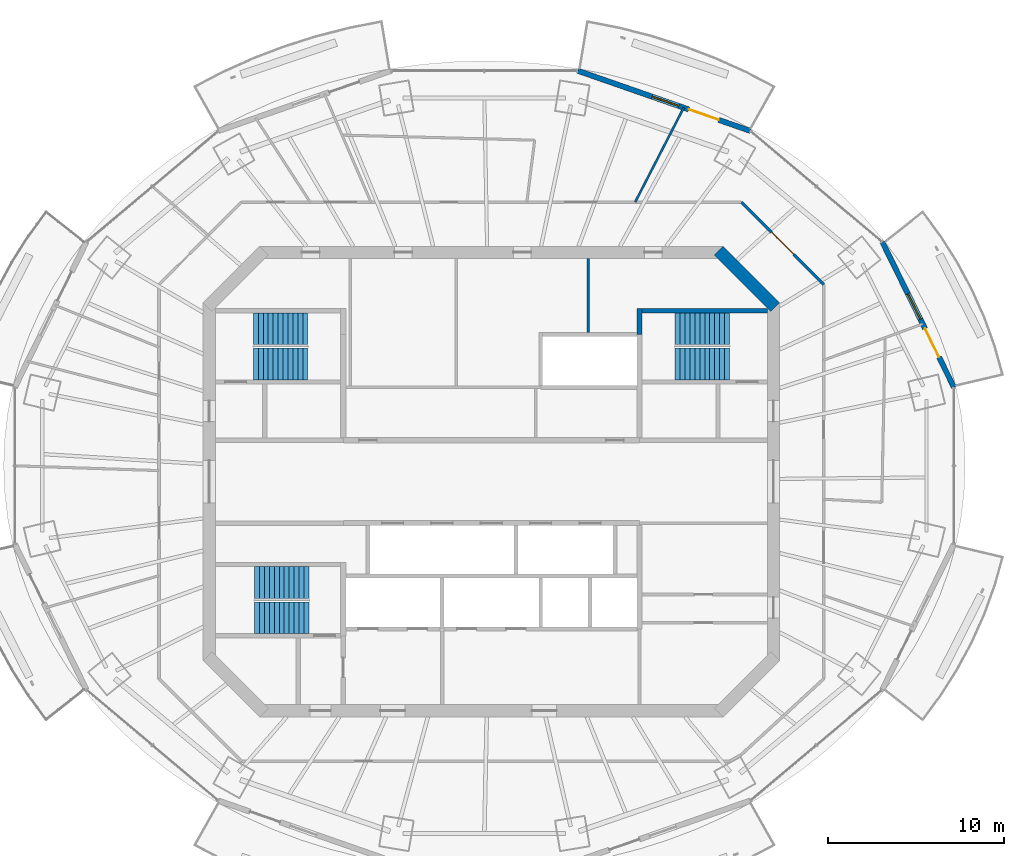
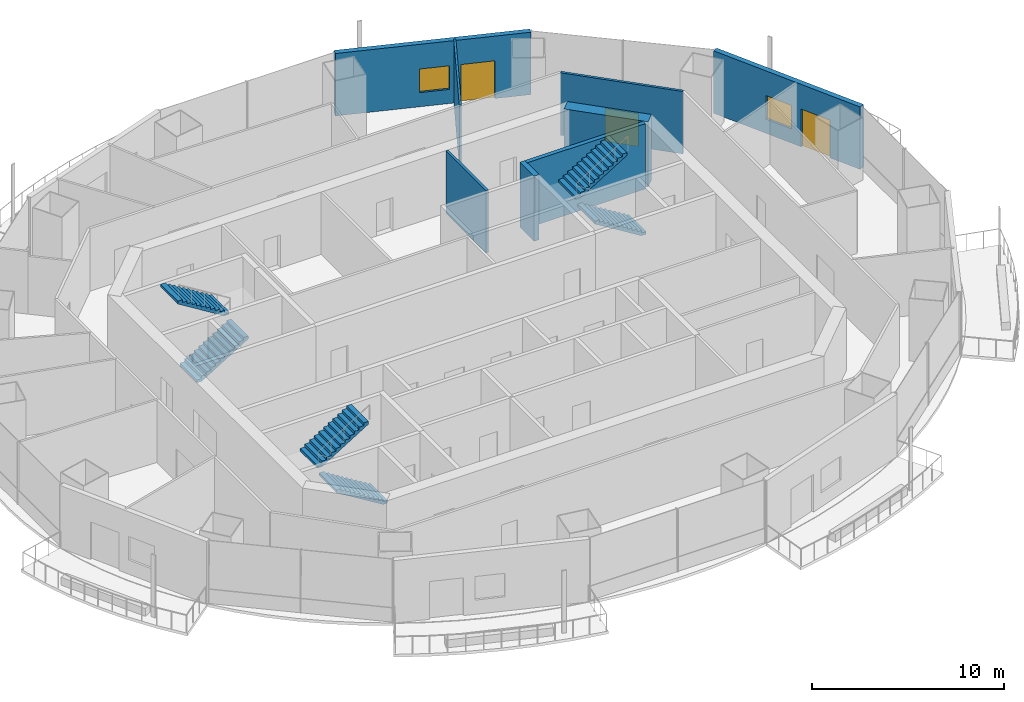
# One storey, part 11 of 16: 8 walls, 6 stair flights, 3 doors, 2 windows, 5 openings, 3 elements without a shape of their own.
"""IFC4 building model written with IfcOpenShell, lengths in metres."""

import ifcopenshell
import ifcopenshell.guid

model = None  # the IFC model being written
_history = None  # IfcOwnerHistory: only IFC2X3 demands one
_inside = {}  # id of a spatial element -> (the spatial element, [elements in it])
_under = {}  # id of a project, library or spatial element -> (it, [spatial elements below it])
_declared = {}  # id of a project -> (the project, [libraries it declares])
_typed = {}  # id of a type object -> (the type object, [elements of that type])
_made_of = {}  # id of a material, layer set ... -> (it, [elements and type objects made of it])


def new_model(schema):
    """Start an empty IFC model of exactly this schema.

    Asked for "IFC4X3", IfcOpenShell would pick the latest addendum, in which some entities
    have other attributes; the version numbers below select the first issue.
    IFC2X3 requires an IfcOwnerHistory on every rooted entity: one is made here for all.
    """
    global model, _history
    if schema == "IFC4X3":
        model = ifcopenshell.file(schema_version=(4, 3, 0, 0))
    else:
        model = ifcopenshell.file(schema=schema)
    _inside.clear()
    _under.clear()
    _declared.clear()
    _typed.clear()
    _made_of.clear()
    _history = None
    if model.schema == "IFC2X3":
        org = make("IfcOrganization", Name="unknown")
        user = make(
            "IfcPersonAndOrganization",
            ThePerson=make("IfcPerson", FamilyName="unknown"),
            TheOrganization=org,
        )
        app = make(
            "IfcApplication",
            ApplicationDeveloper=org,
            Version="unknown",
            ApplicationFullName="unknown",
            ApplicationIdentifier="unknown",
        )
        _history = make(
            "IfcOwnerHistory",
            OwningUser=user,
            OwningApplication=app,
            ChangeAction="ADDED",
            CreationDate=0,
        )
    return model


def make(cls, **values):
    """One entity of the class cls with the attributes given. An attribute that is None is left unset."""
    return model.create_entity(
        cls, **{name: value for name, value in values.items() if value is not None}
    )


def rooted(cls, **values):
    """An entity with a GlobalId (a new one), such as an element, a storey or a relation."""
    return make(cls, GlobalId=ifcopenshell.guid.new(), OwnerHistory=_history, **values)


def si_unit(unit_type, name, prefix=None):
    """IfcSIUnit, for example si_unit("LENGTHUNIT", "METRE", prefix="MILLI")."""
    return make("IfcSIUnit", UnitType=unit_type, Prefix=prefix, Name=name)


def assignment(units):
    """IfcUnitAssignment: the units of a project."""
    return None if units is None else make("IfcUnitAssignment", Units=units)


def point(xyz):
    """IfcCartesianPoint."""
    return None if xyz is None else make("IfcCartesianPoint", Coordinates=xyz)


def direction(xyz):
    """IfcDirection."""
    return None if xyz is None else make("IfcDirection", DirectionRatios=xyz)


def frame(location, z_axis=None, x_axis=None):
    """IfcAxis2Placement3D, a coordinate frame: its origin and axes. An axis left out is left unset."""
    return make(
        "IfcAxis2Placement3D",
        Location=point(location),
        Axis=direction(z_axis),
        RefDirection=direction(x_axis),
    )


def frame_2d(location, x_axis=None):
    """IfcAxis2Placement2D, a coordinate frame in the plane: its origin and x axis."""
    return make(
        "IfcAxis2Placement2D", Location=point(location), RefDirection=direction(x_axis)
    )


def origin():
    """The frame at (0, 0, 0) with its axes left unset."""
    return frame((0.0, 0.0, 0.0))


def place(relative_to, where):
    """IfcLocalPlacement: puts the frame where relative to a parent placement (None: the world)."""
    return make(
        "IfcLocalPlacement", PlacementRelTo=relative_to, RelativePlacement=where
    )


def context(
    kind, dimensions, precision=None, world=None, true_north=None, identifier=None
):
    """IfcGeometricRepresentationContext, for example the 3D "Model" context."""
    return make(
        "IfcGeometricRepresentationContext",
        ContextIdentifier=identifier,
        ContextType=kind,
        CoordinateSpaceDimension=dimensions,
        Precision=precision,
        WorldCoordinateSystem=world,
        TrueNorth=true_north,
    )


def subcontext(parent, identifier, kind, view, scale=None):
    """IfcGeometricRepresentationSubContext, for example "Body" below "Model"."""
    return make(
        "IfcGeometricRepresentationSubContext",
        ContextIdentifier=identifier,
        ContextType=kind,
        ParentContext=parent,
        TargetScale=scale,
        TargetView=view,
    )


def project(units=None, contexts=None):
    """IfcProject with its units and contexts."""
    return rooted(
        "IfcProject",
        Name="project",
        RepresentationContexts=contexts,
        UnitsInContext=assignment(units),
    )


def spatial(cls, under=None, at=None, **own):
    """A site, building, storey or space (cls), placed at a placement, below another one or the project."""
    s = rooted(cls, ObjectPlacement=at, **own)
    if under is not None:
        _under.setdefault(under.id(), (under, []))[1].append(s)
    return s


def polyline(points):
    """IfcPolyline through the points."""
    return make("IfcPolyline", Points=[point(p) for p in points])


def profile(cls, at=None, kind="AREA", **sizes):
    """A parametric profile (cls). Its sizes go by their IFC names, for example OverallWidth=200.0."""
    return make(cls, ProfileType=kind, Position=at, **sizes)


def rectangle(**sizes):
    """IfcRectangleProfileDef."""
    return profile("IfcRectangleProfileDef", **sizes)


def outline(outer, holes=None, kind="AREA"):
    """IfcArbitraryClosedProfileDef: a profile drawn as a closed curve; with holes, ...WithVoids."""
    if holes is None:
        return make("IfcArbitraryClosedProfileDef", ProfileType=kind, OuterCurve=outer)
    return make(
        "IfcArbitraryProfileDefWithVoids",
        ProfileType=kind,
        OuterCurve=outer,
        InnerCurves=holes,
    )


def extrude(swept, where, along, depth):
    """IfcExtrudedAreaSolid: the profile swept, set in the frame where, extruded along a direction by depth."""
    return make(
        "IfcExtrudedAreaSolid",
        SweptArea=swept,
        Position=where,
        ExtrudedDirection=direction(along),
        Depth=depth,
    )


def shape(context_of_items, identifier, shape_type, items):
    """IfcShapeRepresentation: the items that make up one representation, for example the "Body"."""
    return make(
        "IfcShapeRepresentation",
        ContextOfItems=context_of_items,
        RepresentationIdentifier=identifier,
        RepresentationType=shape_type,
        Items=items,
    )


def material(Name=None, Category=None):
    """IfcMaterial."""
    return make("IfcMaterial", Name=Name, Category=Category)


def layer(
    of_material, thickness, ventilated=None, Name=None, Category=None, Priority=None
):
    """IfcMaterialLayer: one layer of a wall or slab, of a material (None: an air gap)."""
    return make(
        "IfcMaterialLayer",
        Material=of_material,
        LayerThickness=thickness,
        IsVentilated=ventilated,
        Name=Name,
        Category=Category,
        Priority=Priority,
    )


def layer_set(layers, Name=None):
    """IfcMaterialLayerSet."""
    return make("IfcMaterialLayerSet", MaterialLayers=layers, LayerSetName=Name)


def made_of(thing, what):
    """Note that an element or type object is made of a material, layer set ...; save() writes the relation."""
    if what is not None:
        _made_of.setdefault(what.id(), (what, []))[1].append(thing)
    return thing


def type_object(cls, material=None, **own):
    """A type object (cls), such as IfcWallType, which elements share."""
    return made_of(rooted(cls, **own), material)


def element(
    cls,
    number,
    at=None,
    inside=None,
    cuts=None,
    type_object=None,
    material=None,
    context=None,
    identifier="Body",
    shape_type=None,
    held_by="IfcProductDefinitionShape",
    body=None,
    shapes=None,
    **own,
):
    """One element of the class cls, such as IfcWall. Its Tag is "e" and its number.

    at: its placement. inside: the storey or other place that contains it. cuts: it is an
    opening in that element (IfcRelVoidsElement). A single representation is given by context,
    identifier, shape_type and body (its items); several are given by shapes. held_by: the class
    of the entity that holds the representations. save() writes the other relations.
    """
    e = rooted(cls, Tag="e%d" % number, ObjectPlacement=at, **own)
    if body is not None:
        shapes = [shape(context, identifier, shape_type, body)]
    if shapes is not None:
        e.Representation = make(held_by, Representations=shapes)
    if inside is not None:
        _inside.setdefault(inside.id(), (inside, []))[1].append(e)
    if cuts is not None:
        rooted(
            "IfcRelVoidsElement", RelatingBuildingElement=cuts, RelatedOpeningElement=e
        )
    if type_object is not None:
        _typed.setdefault(type_object.id(), (type_object, []))[1].append(e)
    return made_of(e, material)


def fill(opening, filler):
    """IfcRelFillsElement: the door or window that sits in an opening."""
    return rooted(
        "IfcRelFillsElement",
        RelatingOpeningElement=opening,
        RelatedBuildingElement=filler,
    )


def aggregate(whole, parts):
    """IfcRelAggregates: a whole, such as a stair, and the parts it consists of."""
    return rooted("IfcRelAggregates", RelatingObject=whole, RelatedObjects=parts)


def save(model, path):
    """Write the relations noted so far, then the file.

    IfcRelAggregates (storeys below a building ...), IfcRelContainedInSpatialStructure (elements
    in a storey), IfcRelDefinesByType, IfcRelAssociatesMaterial and IfcRelDeclares: one each for
    every whole, place, type object, material and project.
    """
    for whole, parts in _under.values():
        aggregate(whole, parts)
    for where, things in _inside.values():
        rooted(
            "IfcRelContainedInSpatialStructure",
            RelatedElements=things,
            RelatingStructure=where,
        )
    for kind, things in _typed.values():
        rooted("IfcRelDefinesByType", RelatedObjects=things, RelatingType=kind)
    for what, things in _made_of.values():
        rooted("IfcRelAssociatesMaterial", RelatedObjects=things, RelatingMaterial=what)
    for by, libraries in _declared.values():
        rooted("IfcRelDeclares", RelatingContext=by, RelatedDefinitions=libraries)
    model.write(path)


model = new_model("IFC4")

# Units and contexts
model_context = context("Model", 3, precision=1e-05, world=origin(), true_north=direction((0.0, 1.0)))
body_context = subcontext(model_context, "Body", "Model", "MODEL_VIEW")
ifc_project = project(units=[si_unit("LENGTHUNIT", "METRE"), si_unit("AREAUNIT", "SQUARE_METRE"), si_unit("VOLUMEUNIT", "CUBIC_METRE"), si_unit("PLANEANGLEUNIT", "RADIAN"), si_unit("MASSUNIT", "GRAM", prefix="KILO")], contexts=[model_context])

# Site, building, storey
site_placement = place(None, origin())
site = spatial("IfcSite", under=ifc_project, at=site_placement, CompositionType="ELEMENT")
building_placement = place(site_placement, origin())
building = spatial("IfcBuilding", under=site, at=building_placement, Name="Marenthal Gate Tower", CompositionType="ELEMENT")
storey_placement = place(building_placement, frame((0.0, 0.0, 338.449951171875)))
storey = spatial("IfcBuildingStorey", under=building, at=storey_placement, Name="L76", CompositionType="ELEMENT", Elevation=338.449951171875)

# Walls
ifc_material_1 = material(Name="Concrete 60 MPa", Category="concrete")
ifc_layer_1 = layer(ifc_material_1, 0.699951171875)
ifc_layer_set_1 = layer_set([ifc_layer_1], Name="Core shear wall 700")
wall_type_1 = type_object("IfcWallType", Name="Core shear wall 700", PredefinedType="SHEAR", material=ifc_layer_set_1)
wall_1_placement = place(storey_placement, frame((16.1025390625, 9.8974609375, -0.179931640625), z_axis=(0.0, 0.0, 1.0), x_axis=(-0.707106781187, 0.707106781187, 0.0)))
element("IfcWall", 1, at=wall_1_placement, inside=storey, type_object=wall_type_1, Name="Core wall 03", PredefinedType="SHEAR", context=body_context, shape_type="SweptSolid", body=[
    extrude(rectangle(XDim=4.53271484375, YDim=0.699951171875, at=frame_2d((2.266357421875, 0.0))), origin(), (0.0, 0.0, 1.0), 4.14990234375),
])
ifc_material_2 = material(Name="Gypsum board on steel studs", Category="steel")
ifc_layer_2 = layer(ifc_material_2, 0.1201171875)
ifc_layer_set_2 = layer_set([ifc_layer_2], Name="Partition 120")
wall_type_2 = type_object("IfcWallType", Name="Partition 120", PredefinedType="PARTITIONING", material=ifc_layer_set_2)
wall_2_placement = place(storey_placement, frame((8.150390625, 15.85009765625, 0.0), z_axis=(0.0, 0.0, 1.0), x_axis=(0.457314139227, 0.889305222105, 0.0)))
element("IfcWall", 2, at=wall_2_placement, inside=storey, type_object=wall_type_2, Name="Partition wall 65", PredefinedType="PARTITIONING", context=body_context, shape_type="SweptSolid", body=[
    extrude(rectangle(XDim=6.025634765625, YDim=0.1201171875, at=frame_2d((3.0126953125, 0.0))), origin(), (0.0, 0.0, 1.0), 3.969970703125),
])
ifc_material_3 = material(Name="Gypsum board on steel studs", Category="steel")
ifc_layer_3 = layer(ifc_material_3, 0.14990234375)
ifc_layer_set_3 = layer_set([ifc_layer_3], Name="Partition 150")
wall_type_3 = type_object("IfcWallType", Name="Partition 150", PredefinedType="PARTITIONING", material=ifc_layer_set_3)
wall_3_placement = place(storey_placement, frame((5.5, 8.4599609375, 0.0), z_axis=(0.0, 0.0, 1.0), x_axis=(0.0, 1.0, 0.0)))
element("IfcWall", 3, at=wall_3_placement, inside=storey, type_object=wall_type_3, Name="Partition wall 44", PredefinedType="PARTITIONING", context=body_context, shape_type="SweptSolid", body=[
    extrude(rectangle(XDim=4.18994140625, YDim=0.14990234375, at=frame_2d((2.094970703125, 0.0))), origin(), (0.0, 0.0, 1.0), 3.969970703125),
])

# Wall, opening, door
wall_4_placement = place(storey_placement, frame((14.180419921875, 15.85009765625, 0.0), z_axis=(0.0, 0.0, 1.0), x_axis=(0.707106781187, -0.707106781187, 0.0)))
wall_4 = element("IfcWall", 4, at=wall_4_placement, inside=storey, type_object=wall_type_3, Name="Partition wall 68", PredefinedType="PARTITIONING", context=body_context, shape_type="SweptSolid", body=[
    extrude(rectangle(XDim=6.60400390625, YDim=0.14990234375, at=frame_2d((3.302001953125, 0.0))), origin(), (0.0, 0.0, 1.0), 3.969970703125),
])
opening_1_placement = place(wall_4_placement, frame((2.402099609375, 0.0, 0.0)))
opening_1 = element("IfcOpeningElement", 5, at=opening_1_placement, cuts=wall_4, Name="Opening D014.01", PredefinedType="OPENING", context=body_context, shape_type="SweptSolid", body=[
    extrude(rectangle(XDim=1.800048828125, YDim=2.10009765625, at=frame_2d((0.89990234375, 1.050048828125))), frame((0.0, 0.0849609375, 0.0), z_axis=(0.0, -1.0, 0.0), x_axis=(1.0, 0.0, 0.0)), (0.0, 0.0, 1.0), 0.169921875),
])
ifc_material_4 = material(Name="Timber door", Category="wood")
door_type_1 = type_object("IfcDoorType", Name="Double door 1800 x 2100", OperationType="DOUBLE_DOOR_SINGLE_SWING", PredefinedType="DOOR", material=ifc_material_4)
door_1_placement = place(opening_1_placement, origin())
door_1 = element("IfcDoor", 6, at=door_1_placement, inside=storey, type_object=door_type_1, Name="Door D014.01", OperationType="DOUBLE_DOOR_SINGLE_SWING", OverallHeight=2.10009765625, OverallWidth=1.800048828125, PredefinedType="DOOR", context=body_context, shape_type="SweptSolid", body=[
    extrude(rectangle(XDim=1.800048828125, YDim=2.10009765625, at=frame_2d((0.89990234375, 1.050048828125))), frame((0.0, 0.02490234375, 0.0), z_axis=(0.0, -1.0, 0.0), x_axis=(1.0, 0.0, 0.0)), (0.0, 0.0, 1.0), 0.050048828125),
])
fill(opening_1, door_1)

# Walls
ifc_material_5 = material(Name="Concrete 50 MPa", Category="concrete")
ifc_layer_4 = layer(ifc_material_5, 0.25)
ifc_layer_set_4 = layer_set([ifc_layer_4], Name="Stair shear wall 250")
wall_type_4 = type_object("IfcWallType", Name="Stair shear wall 250", PredefinedType="SHEAR", material=ifc_layer_set_4)
wall_5_placement = place(storey_placement, frame((8.550048828125, 9.699951171875, -0.179931640625), z_axis=(0.0, 0.0, 1.0), x_axis=(1.0, 0.0, 0.0)))
element("IfcWall", 7, at=wall_5_placement, inside=storey, type_object=wall_type_4, Name="Stair wall 28", PredefinedType="SHEAR", context=body_context, shape_type="SweptSolid", body=[
    extrude(rectangle(XDim=7.099853515625, YDim=0.25, at=frame_2d((3.5498046875, 0.0))), origin(), (0.0, 0.0, 1.0), 4.14990234375),
])
ifc_material_6 = material(Name="Concrete 50 MPa", Category="concrete")
ifc_layer_5 = layer(ifc_material_6, 0.300048828125)
ifc_layer_set_5 = layer_set([ifc_layer_5], Name="Stair shear wall 300")
wall_type_5 = type_object("IfcWallType", Name="Stair shear wall 300", PredefinedType="SHEAR", material=ifc_layer_set_5)
wall_6_placement = place(storey_placement, frame((8.39990234375, 8.35009765625, -0.179931640625), z_axis=(0.0, 0.0, 1.0), x_axis=(0.0, 1.0, 0.0)))
element("IfcWall", 8, at=wall_6_placement, inside=storey, type_object=wall_type_5, Name="Stair wall 50", PredefinedType="SHEAR", context=body_context, shape_type="SweptSolid", body=[
    extrude(rectangle(XDim=1.474853515625, YDim=0.300048828125, at=frame_2d((0.7373046875, 0.0))), origin(), (0.0, 0.0, 1.0), 4.14990234375),
])

# Wall, openings, door, window
ifc_material_7 = material(Name="Terracotta cladding on insulated concrete-block backing", Category="masonry")
ifc_layer_6 = layer(ifc_material_7, 0.300048828125)
ifc_layer_set_6 = layer_set([ifc_layer_6], Name="Terracotta facade wall 300")
wall_type_6 = type_object("IfcWallType", Name="Terracotta facade wall 300", PredefinedType="SOLIDWALL", material=ifc_layer_set_6)
wall_7_placement = place(storey_placement, frame((26.227294921875, 5.356201171875, 0.0), z_axis=(0.0, 0.0, 1.0), x_axis=(-0.441682707494, 0.89717132472, 0.0)))
wall_7 = element("IfcWall", 9, at=wall_7_placement, inside=storey, type_object=wall_type_6, Name="Terracotta facade wall L76 bay 1", PredefinedType="SOLIDWALL", context=body_context, shape_type="SweptSolid", body=[
    extrude(rectangle(XDim=9.177978515625, YDim=0.300048828125, at=frame_2d((4.5888671875, 0.0))), origin(), (0.0, 0.0, 1.0), 3.969970703125),
])
opening_2_placement = place(wall_7_placement, frame((1.89990234375, 0.0, 0.0)))
opening_2 = element("IfcOpeningElement", 10, at=opening_2_placement, cuts=wall_7, Name="Opening BD-L76-01", PredefinedType="OPENING", context=body_context, shape_type="SweptSolid", body=[
    extrude(rectangle(XDim=1.800048828125, YDim=2.39990234375, at=frame_2d((0.89990234375, 1.199951171875))), frame((0.0, 0.16015625, 0.0), z_axis=(0.0, -1.0, 0.0), x_axis=(1.0, 0.0, 0.0)), (0.0, 0.0, 1.0), 0.320068359375),
])
opening_3_placement = place(wall_7_placement, frame((4.300048828125, 0.0, 0.89990234375)))
opening_3 = element("IfcOpeningElement", 11, at=opening_3_placement, cuts=wall_7, Name="Opening WN3-L76-01", PredefinedType="OPENING", context=body_context, shape_type="SweptSolid", body=[
    extrude(rectangle(XDim=1.60009765625, YDim=1.5, at=frame_2d((0.800048828125, 0.75))), frame((0.0, 0.16015625, 0.0), z_axis=(0.0, -1.0, 0.0), x_axis=(1.0, 0.0, 0.0)), (0.0, 0.0, 1.0), 0.320068359375),
])
ifc_material_8 = material(Name="Aluminium and glass", Category="aluminium")
door_type_2 = type_object("IfcDoorType", Name="Balcony door 1800x2400", OperationType="DOUBLE_DOOR_SINGLE_SWING", PredefinedType="DOOR", material=ifc_material_8)
door_2_placement = place(opening_2_placement, origin())
door_2 = element("IfcDoor", 12, at=door_2_placement, inside=storey, type_object=door_type_2, Name="Balcony door L76 bay 1", OperationType="SINGLE_SWING_LEFT", OverallHeight=2.39990234375, OverallWidth=1.800048828125, PredefinedType="DOOR", context=body_context, shape_type="SweptSolid", body=[
    extrude(rectangle(XDim=1.800048828125, YDim=2.39990234375, at=frame_2d((0.89990234375, 1.199951171875))), frame((0.0, 0.02490234375, 0.0), z_axis=(0.0, -1.0, 0.0), x_axis=(1.0, 0.0, 0.0)), (0.0, 0.0, 1.0), 0.050048828125),
])
fill(opening_2, door_2)
ifc_material_9 = material(Name="Aluminium and glass", Category="aluminium")
window_type = type_object("IfcWindowType", Name="Window 1600x1500", PartitioningType="DOUBLE_PANEL_VERTICAL", PredefinedType="WINDOW", material=ifc_material_9)
window_1_placement = place(opening_3_placement, origin())
window_1 = element("IfcWindow", 13, at=window_1_placement, inside=storey, type_object=window_type, Name="Window L76 bay 1", OverallHeight=1.5, OverallWidth=1.60009765625, PartitioningType="SINGLE_PANEL", PredefinedType="WINDOW", context=body_context, shape_type="SweptSolid", body=[
    extrude(rectangle(XDim=1.60009765625, YDim=1.5, at=frame_2d((0.800048828125, 0.75))), frame((0.0, 0.030029296875, 0.0), z_axis=(0.0, -1.0, 0.0), x_axis=(1.0, 0.0, 0.0)), (0.0, 0.0, 1.0), 0.06005859375),
])
fill(opening_3, window_1)

wall_8_placement = place(storey_placement, frame((14.68310546875, 19.892333984375, 0.0), z_axis=(0.0, 0.0, 1.0), x_axis=(-0.944291634301, 0.329109874341, 0.0)))
wall_8 = element("IfcWall", 14, at=wall_8_placement, inside=storey, type_object=wall_type_6, Name="Terracotta facade wall L76 bay 3", PredefinedType="SOLIDWALL", context=body_context, shape_type="SweptSolid", body=[
    extrude(rectangle(XDim=10.364013671875, YDim=0.300048828125, at=frame_2d((5.18212890625, 0.0))), origin(), (0.0, 0.0, 1.0), 3.969970703125),
])
opening_4_placement = place(wall_8_placement, frame((1.89990234375, 0.0, 0.0)))
opening_4 = element("IfcOpeningElement", 15, at=opening_4_placement, cuts=wall_8, Name="Opening BD-L76-03", PredefinedType="OPENING", context=body_context, shape_type="SweptSolid", body=[
    extrude(rectangle(XDim=1.800048828125, YDim=2.39990234375, at=frame_2d((0.89990234375, 1.199951171875))), frame((0.0, 0.16015625, 0.0), z_axis=(0.0, -1.0, 0.0), x_axis=(1.0, 0.0, 0.0)), (0.0, 0.0, 1.0), 0.320068359375),
])
opening_5_placement = place(wall_8_placement, frame((4.300048828125, 0.0, 0.89990234375)))
opening_5 = element("IfcOpeningElement", 16, at=opening_5_placement, cuts=wall_8, Name="Opening WN3-L76-03", PredefinedType="OPENING", context=body_context, shape_type="SweptSolid", body=[
    extrude(rectangle(XDim=1.60009765625, YDim=1.5, at=frame_2d((0.800048828125, 0.75))), frame((0.0, 0.16015625, 0.0), z_axis=(0.0, -1.0, 0.0), x_axis=(1.0, 0.0, 0.0)), (0.0, 0.0, 1.0), 0.320068359375),
])
door_3_placement = place(opening_4_placement, origin())
door_3 = element("IfcDoor", 17, at=door_3_placement, inside=storey, type_object=door_type_2, Name="Balcony door L76 bay 3", OperationType="SINGLE_SWING_LEFT", OverallHeight=2.39990234375, OverallWidth=1.800048828125, PredefinedType="DOOR", context=body_context, shape_type="SweptSolid", body=[
    extrude(rectangle(XDim=1.800048828125, YDim=2.39990234375, at=frame_2d((0.89990234375, 1.199951171875))), frame((0.0, 0.02490234375, 0.0), z_axis=(0.0, -1.0, 0.0), x_axis=(1.0, 0.0, 0.0)), (0.0, 0.0, 1.0), 0.050048828125),
])
fill(opening_4, door_3)
window_2_placement = place(opening_5_placement, origin())
window_2 = element("IfcWindow", 18, at=window_2_placement, inside=storey, type_object=window_type, Name="Window L76 bay 3", OverallHeight=1.5, OverallWidth=1.60009765625, PartitioningType="SINGLE_PANEL", PredefinedType="WINDOW", context=body_context, shape_type="SweptSolid", body=[
    extrude(rectangle(XDim=1.60009765625, YDim=1.5, at=frame_2d((0.800048828125, 0.75))), frame((0.0, 0.030029296875, 0.0), z_axis=(0.0, -1.0, 0.0), x_axis=(1.0, 0.0, 0.0)), (0.0, 0.0, 1.0), 0.06005859375),
])
fill(opening_5, window_2)

# Stair, stair flights
ifc_material_10 = material(Name="Concrete 40 MPa", Category="concrete")
stair_type = type_object("IfcStairType", Name="Exit stair 1800", PredefinedType="HALF_TURN_STAIR", material=ifc_material_10)
stair_1_placement = place(storey_placement, origin())
stair_1 = element("IfcStair", 19, at=stair_1_placement, inside=storey, type_object=stair_type, Name="Stair ST1", PredefinedType="HALF_TURN_STAIR")
ifc_material_11 = material(Name="Concrete 40 MPa", Category="concrete")
stair_flight_type = type_object("IfcStairFlightType", Name="Stair flight 1800", PredefinedType="STRAIGHT", material=ifc_material_11)
stair_flight_1_placement = place(storey_placement, frame((-13.5, 6.675048828125, 0.0), z_axis=(0.0, 0.0, 1.0), x_axis=(1.0, 0.0, 0.0)))
stair_flight_1 = element("IfcStairFlight", 20, at=stair_flight_1_placement, type_object=stair_flight_type, Name="ST1 flight 1", NumberOfRisers=12, NumberOfTreads=11, PredefinedType="STRAIGHT", RiserHeight=0.172916667, TreadLength=0.28, context=body_context, shape_type="SweptSolid", body=[
    extrude(outline(polyline([(0.0, 0.0), (0.0, 0.1728515625), (0.280029296875, 0.1728515625), (0.280029296875, 0.345947265625), (0.56005859375, 0.345947265625), (0.56005859375, 0.518798828125), (0.840087890625, 0.518798828125), (0.840087890625, 0.691650390625), (1.1201171875, 0.691650390625), (1.1201171875, 0.864501953125), (1.39990234375, 0.864501953125), (1.39990234375, 1.03759765625), (1.679931640625, 1.03759765625), (1.679931640625, 1.21044921875), (1.9599609375, 1.21044921875), (1.9599609375, 1.38330078125), (2.239990234375, 1.38330078125), (2.239990234375, 1.55615234375), (2.52001953125, 1.55615234375), (2.52001953125, 1.729248046875), (2.800048828125, 1.729248046875), (2.800048828125, 1.902099609375), (3.080078125, 1.902099609375), (3.080078125, 2.074951171875), (3.080078125, 1.725830078125), (0.285400390625, 0.0), (0.0, 0.0)])), frame((0.0, 0.89990234375, 0.0), z_axis=(0.0, -1.0, 0.0), x_axis=(1.0, 0.0, 0.0)), (0.0, 0.0, 1.0), 1.800048828125),
])
stair_flight_2_placement = place(storey_placement, frame((-10.419921875, 8.675048828125, 2.074951171875), z_axis=(0.0, 0.0, 1.0), x_axis=(-1.0, 0.0, 0.0)))
stair_flight_2 = element("IfcStairFlight", 21, at=stair_flight_2_placement, type_object=stair_flight_type, Name="ST1 flight 2", NumberOfRisers=12, NumberOfTreads=11, PredefinedType="STRAIGHT", RiserHeight=0.172916667, TreadLength=0.28, context=body_context, shape_type="SweptSolid", body=[
    extrude(outline(polyline([(0.0, 0.0), (0.0, 0.1728515625), (0.280029296875, 0.1728515625), (0.280029296875, 0.345947265625), (0.56005859375, 0.345947265625), (0.56005859375, 0.518798828125), (0.840087890625, 0.518798828125), (0.840087890625, 0.691650390625), (1.1201171875, 0.691650390625), (1.1201171875, 0.864501953125), (1.39990234375, 0.864501953125), (1.39990234375, 1.03759765625), (1.679931640625, 1.03759765625), (1.679931640625, 1.21044921875), (1.9599609375, 1.21044921875), (1.9599609375, 1.38330078125), (2.239990234375, 1.38330078125), (2.239990234375, 1.55615234375), (2.52001953125, 1.55615234375), (2.52001953125, 1.729248046875), (2.800048828125, 1.729248046875), (2.800048828125, 1.902099609375), (3.080078125, 1.902099609375), (3.080078125, 2.074951171875), (3.080078125, 1.725830078125), (0.285400390625, 0.0), (0.0, 0.0)])), frame((0.0, 0.89990234375, 0.0), z_axis=(0.0, -1.0, 0.0), x_axis=(1.0, 0.0, 0.0)), (0.0, 0.0, 1.0), 1.800048828125),
])
aggregate(stair_1, [stair_flight_1, stair_flight_2])

stair_2_placement = place(storey_placement, origin())
stair_2 = element("IfcStair", 22, at=stair_2_placement, inside=storey, type_object=stair_type, Name="Stair ST2", PredefinedType="HALF_TURN_STAIR")
stair_flight_3_placement = place(storey_placement, frame((-10.35009765625, -7.72509765625, 0.0), z_axis=(0.0, 0.0, 1.0), x_axis=(-1.0, 0.0, 0.0)))
stair_flight_3 = element("IfcStairFlight", 23, at=stair_flight_3_placement, type_object=stair_flight_type, Name="ST2 flight 1", NumberOfRisers=12, NumberOfTreads=11, PredefinedType="STRAIGHT", RiserHeight=0.172916667, TreadLength=0.28, context=body_context, shape_type="SweptSolid", body=[
    extrude(outline(polyline([(0.0, 0.0), (0.0, 0.1728515625), (0.280029296875, 0.1728515625), (0.280029296875, 0.345947265625), (0.56005859375, 0.345947265625), (0.56005859375, 0.518798828125), (0.840087890625, 0.518798828125), (0.840087890625, 0.691650390625), (1.1201171875, 0.691650390625), (1.1201171875, 0.864501953125), (1.39990234375, 0.864501953125), (1.39990234375, 1.03759765625), (1.679931640625, 1.03759765625), (1.679931640625, 1.21044921875), (1.9599609375, 1.21044921875), (1.9599609375, 1.38330078125), (2.239990234375, 1.38330078125), (2.239990234375, 1.55615234375), (2.52001953125, 1.55615234375), (2.52001953125, 1.729248046875), (2.800048828125, 1.729248046875), (2.800048828125, 1.902099609375), (3.080078125, 1.902099609375), (3.080078125, 2.074951171875), (3.080078125, 1.725830078125), (0.285400390625, 0.0), (0.0, 0.0)])), frame((0.0, 0.89990234375, 0.0), z_axis=(0.0, -1.0, 0.0), x_axis=(1.0, 0.0, 0.0)), (0.0, 0.0, 1.0), 1.800048828125),
])
stair_flight_4_placement = place(storey_placement, frame((-13.429931640625, -5.72509765625, 2.074951171875), z_axis=(0.0, 0.0, 1.0), x_axis=(1.0, 0.0, 0.0)))
stair_flight_4 = element("IfcStairFlight", 24, at=stair_flight_4_placement, type_object=stair_flight_type, Name="ST2 flight 2", NumberOfRisers=12, NumberOfTreads=11, PredefinedType="STRAIGHT", RiserHeight=0.172916667, TreadLength=0.28, context=body_context, shape_type="SweptSolid", body=[
    extrude(outline(polyline([(0.0, 0.0), (0.0, 0.1728515625), (0.280029296875, 0.1728515625), (0.280029296875, 0.345947265625), (0.56005859375, 0.345947265625), (0.56005859375, 0.518798828125), (0.840087890625, 0.518798828125), (0.840087890625, 0.691650390625), (1.1201171875, 0.691650390625), (1.1201171875, 0.864501953125), (1.39990234375, 0.864501953125), (1.39990234375, 1.03759765625), (1.679931640625, 1.03759765625), (1.679931640625, 1.21044921875), (1.9599609375, 1.21044921875), (1.9599609375, 1.38330078125), (2.239990234375, 1.38330078125), (2.239990234375, 1.55615234375), (2.52001953125, 1.55615234375), (2.52001953125, 1.729248046875), (2.800048828125, 1.729248046875), (2.800048828125, 1.902099609375), (3.080078125, 1.902099609375), (3.080078125, 2.074951171875), (3.080078125, 1.725830078125), (0.285400390625, 0.0), (0.0, 0.0)])), frame((0.0, 0.89990234375, 0.0), z_axis=(0.0, -1.0, 0.0), x_axis=(1.0, 0.0, 0.0)), (0.0, 0.0, 1.0), 1.800048828125),
])
aggregate(stair_2, [stair_flight_3, stair_flight_4])

stair_3_placement = place(storey_placement, origin())
stair_3 = element("IfcStair", 25, at=stair_3_placement, inside=storey, type_object=stair_type, Name="Stair ST3", PredefinedType="HALF_TURN_STAIR")
stair_flight_5_placement = place(storey_placement, frame((13.5, 6.675048828125, 0.0), z_axis=(0.0, 0.0, 1.0), x_axis=(-1.0, 0.0, 0.0)))
stair_flight_5 = element("IfcStairFlight", 26, at=stair_flight_5_placement, type_object=stair_flight_type, Name="ST3 flight 1", NumberOfRisers=12, NumberOfTreads=11, PredefinedType="STRAIGHT", RiserHeight=0.172916667, TreadLength=0.28, context=body_context, shape_type="SweptSolid", body=[
    extrude(outline(polyline([(0.0, 0.0), (0.0, 0.1728515625), (0.280029296875, 0.1728515625), (0.280029296875, 0.345947265625), (0.56005859375, 0.345947265625), (0.56005859375, 0.518798828125), (0.840087890625, 0.518798828125), (0.840087890625, 0.691650390625), (1.1201171875, 0.691650390625), (1.1201171875, 0.864501953125), (1.39990234375, 0.864501953125), (1.39990234375, 1.03759765625), (1.679931640625, 1.03759765625), (1.679931640625, 1.21044921875), (1.9599609375, 1.21044921875), (1.9599609375, 1.38330078125), (2.239990234375, 1.38330078125), (2.239990234375, 1.55615234375), (2.52001953125, 1.55615234375), (2.52001953125, 1.729248046875), (2.800048828125, 1.729248046875), (2.800048828125, 1.902099609375), (3.080078125, 1.902099609375), (3.080078125, 2.074951171875), (3.080078125, 1.725830078125), (0.285400390625, 0.0), (0.0, 0.0)])), frame((0.0, 0.89990234375, 0.0), z_axis=(0.0, -1.0, 0.0), x_axis=(1.0, 0.0, 0.0)), (0.0, 0.0, 1.0), 1.800048828125),
])
stair_flight_6_placement = place(storey_placement, frame((10.419921875, 8.675048828125, 2.074951171875), z_axis=(0.0, 0.0, 1.0), x_axis=(1.0, 0.0, 0.0)))
stair_flight_6 = element("IfcStairFlight", 27, at=stair_flight_6_placement, type_object=stair_flight_type, Name="ST3 flight 2", NumberOfRisers=12, NumberOfTreads=11, PredefinedType="STRAIGHT", RiserHeight=0.172916667, TreadLength=0.28, context=body_context, shape_type="SweptSolid", body=[
    extrude(outline(polyline([(0.0, 0.0), (0.0, 0.1728515625), (0.280029296875, 0.1728515625), (0.280029296875, 0.345947265625), (0.56005859375, 0.345947265625), (0.56005859375, 0.518798828125), (0.840087890625, 0.518798828125), (0.840087890625, 0.691650390625), (1.1201171875, 0.691650390625), (1.1201171875, 0.864501953125), (1.39990234375, 0.864501953125), (1.39990234375, 1.03759765625), (1.679931640625, 1.03759765625), (1.679931640625, 1.21044921875), (1.9599609375, 1.21044921875), (1.9599609375, 1.38330078125), (2.239990234375, 1.38330078125), (2.239990234375, 1.55615234375), (2.52001953125, 1.55615234375), (2.52001953125, 1.729248046875), (2.800048828125, 1.729248046875), (2.800048828125, 1.902099609375), (3.080078125, 1.902099609375), (3.080078125, 2.074951171875), (3.080078125, 1.725830078125), (0.285400390625, 0.0), (0.0, 0.0)])), frame((0.0, 0.89990234375, 0.0), z_axis=(0.0, -1.0, 0.0), x_axis=(1.0, 0.0, 0.0)), (0.0, 0.0, 1.0), 1.800048828125),
])
aggregate(stair_3, [stair_flight_5, stair_flight_6])

save(model, "model.ifc")
